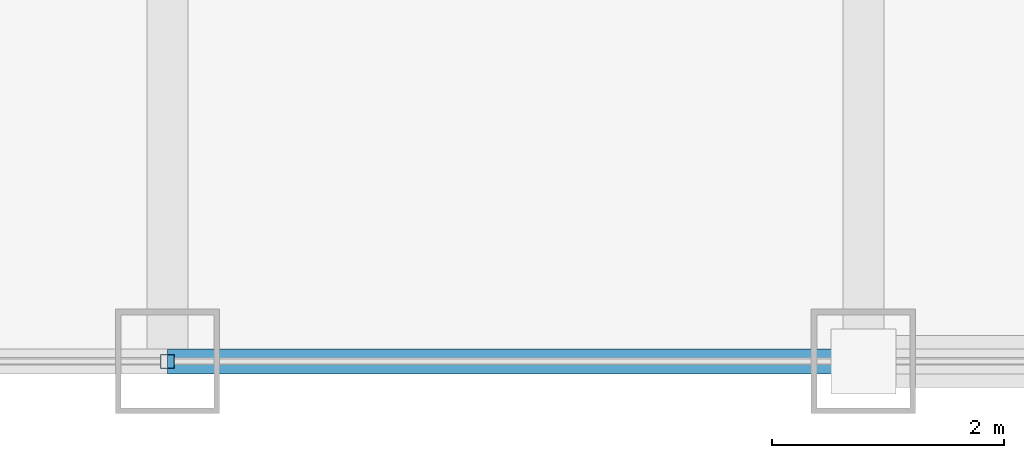
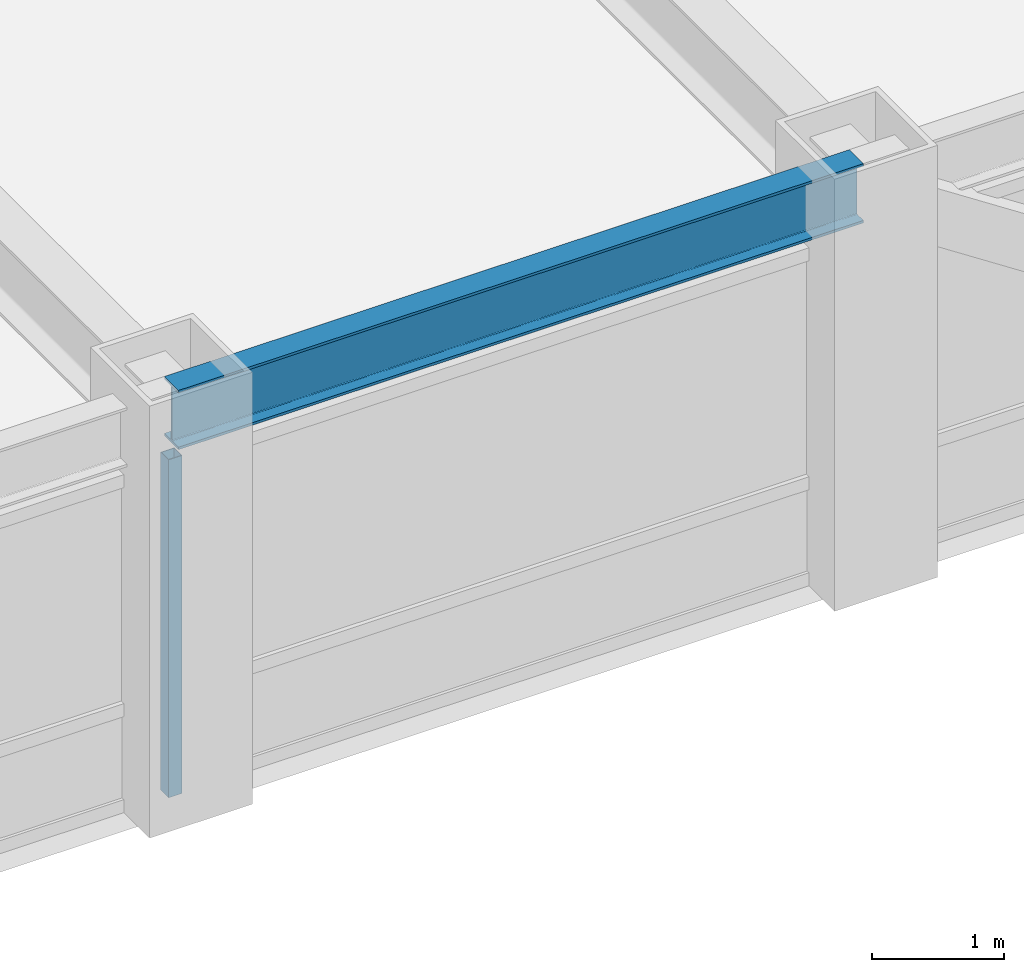
# One storey, part 4 of 22: 1 beam, 1 member, 1 element without a shape of its own.
"""IFC4 building model written with IfcOpenShell, lengths in metres."""

from ifc_helpers import new_model, si_unit, direction, frame, origin, origin_2d, place, context, subcontext, project, spatial, hollow_rectangle, i_section, extrude, source, transform, mapped, material, material_profile, profile_set, type_object, element, aggregate, save


model = new_model("IFC4")

# Units and contexts
model_context = context("Model", 3, precision=1e-05, world=origin(), true_north=direction((0.0, 1.0)))
body_context = subcontext(model_context, "Body", "Model", "MODEL_VIEW")
ifc_project = project(units=[si_unit("LENGTHUNIT", "METRE"), si_unit("AREAUNIT", "SQUARE_METRE"), si_unit("VOLUMEUNIT", "CUBIC_METRE"), si_unit("PLANEANGLEUNIT", "RADIAN"), si_unit("MASSUNIT", "GRAM", prefix="KILO")], contexts=[model_context])

# Site, building, storey
site_placement = place(None, origin())
site = spatial("IfcSite", under=ifc_project, at=site_placement, CompositionType="ELEMENT")
building_placement = place(site_placement, origin())
building = spatial("IfcBuilding", under=site, at=building_placement, Name="Khorayat Bourse Tower", CompositionType="ELEMENT")
storey_placement = place(building_placement, frame((0.0, 0.0, 309.5)))
storey = spatial("IfcBuildingStorey", under=building, at=storey_placement, Name="L73", CompositionType="ELEMENT", Elevation=309.5)

# Beam
ifc_material_1 = material(Name="Steel ASTM A992 Grade 50", Category="steel")
ifc_material_profile_1 = material_profile(ifc_material_1, i_section(OverallWidth=0.214111328125, OverallDepth=0.549072265625, WebThickness=0.0146484375, FlangeThickness=0.023681640625, FilletRadius=0.013916015625, at=origin_2d()), Name="W530X138")
ifc_profile_set_1 = profile_set([ifc_material_profile_1], Name="Steel ASTM A992 Grade 50")
beam_type = type_object("IfcBeamType", Name="BM-SPAN-530", PredefinedType="SPANDREL", material=ifc_profile_set_1)
shared_shape_1 = source(origin(), body_context, "Body", "SweptSolid", [
    extrude(i_section(OverallWidth=0.214111328125, OverallDepth=0.549072265625, WebThickness=0.0146484375, FlangeThickness=0.023681640625, FilletRadius=0.013916015625, at=origin_2d()), origin(), (0.0, 0.0, 1.0), 6.0),
])
beam_placement = place(storey_placement, frame((0.0, -28.0, 3.505615234375), z_axis=(1.0, 0.0, 0.0), x_axis=(0.0, 1.0, 0.0)))
element("IfcBeam", 1, at=beam_placement, inside=storey, type_object=beam_type, Name="L73 BM-SPAN-530 BM-L73-SPN-028", PredefinedType="SPANDREL", context=body_context, shape_type="MappedRepresentation", body=[
    mapped(shared_shape_1, transform((0.0, 0.0, 0.0), scale=1.0)),
])

# Curtain wall, member
ifc_material_2 = material(Name="Aluminium EN AW-6063 T6", Category="aluminium")
curtain_wall_type = type_object("IfcCurtainWallType", Name="CW-SYS-04", PredefinedType="NOTDEFINED", material=ifc_material_2)
curtain_wall_placement = place(storey_placement, origin())
curtain_wall = element("IfcCurtainWall", 2, at=curtain_wall_placement, inside=storey, type_object=curtain_wall_type, Name="L73 Curtain Wall CW-L73-S1", PredefinedType="NOTDEFINED")
ifc_material_profile_2 = material_profile(ifc_material_2, hollow_rectangle(XDim=0.1201171875, YDim=0.1201171875, WallThickness=0.0048828125, at=origin_2d()), Name="ALU 120x120x5")
ifc_profile_set_2 = profile_set([ifc_material_profile_2], Name="Aluminium EN AW-6063 T6")
member_type = type_object("IfcMemberType", Name="CWM-VERT-120", PredefinedType="MULLION", material=ifc_profile_set_2)
shared_shape_2 = source(origin(), body_context, "Body", "SweptSolid", [
    extrude(hollow_rectangle(XDim=0.1201171875, YDim=0.1201171875, WallThickness=0.0048828125, at=origin_2d()), origin(), (0.0, 0.0, 1.0), 3.1298828125),
])
member_placement = place(storey_placement, frame((0.0, -28.0, 0.0), z_axis=(0.0, 0.0, 1.0), x_axis=(0.0, 1.0, 0.0)))
member = element("IfcMember", 3, at=member_placement, type_object=member_type, Name="CW-L73-S1 Vertical Mullion 2", PredefinedType="MULLION", context=body_context, shape_type="MappedRepresentation", body=[
    mapped(shared_shape_2, transform((0.0, 0.0, 0.0), scale=1.0)),
])
aggregate(curtain_wall, [member])

save(model, "model.ifc")
